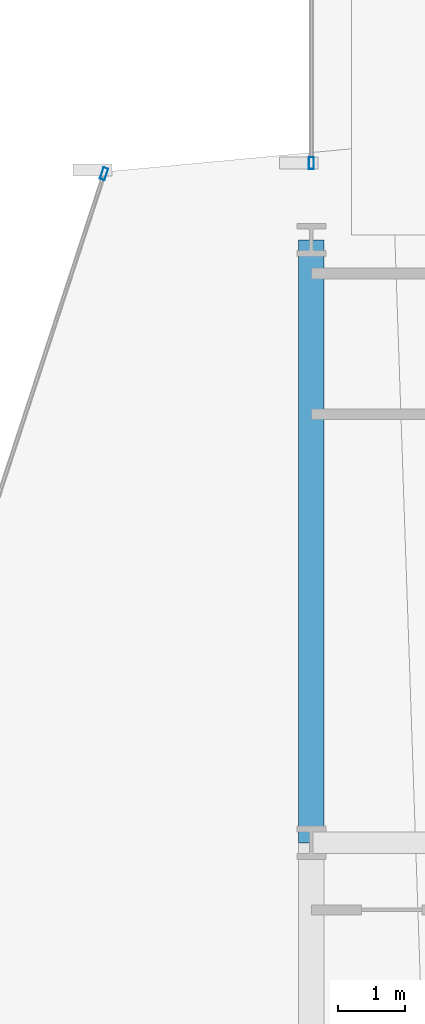
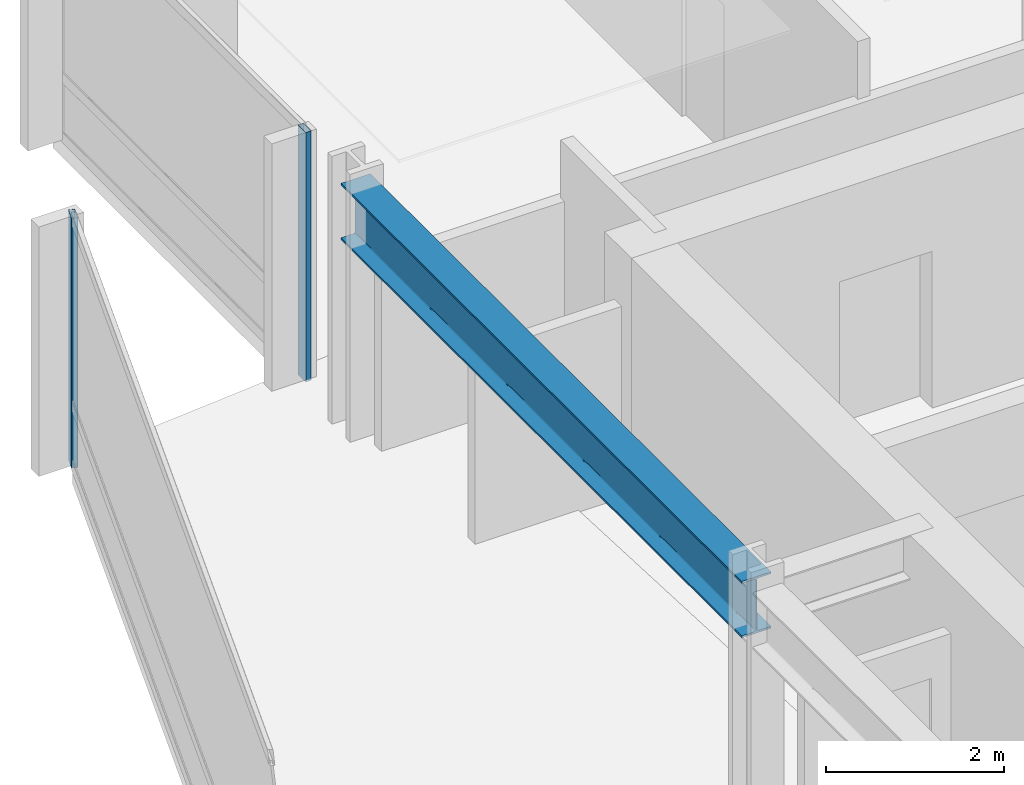
# One storey, part 19 of 34: 2 members, 1 beam, 2 elements without a shape of their own.
"""IFC4 building model written with IfcOpenShell, lengths in metres."""

from ifc_helpers import new_model, si_unit, direction, frame, origin, origin_2d, place, context, subcontext, project, spatial, hollow_rectangle, i_section, extrude, material, layer, layer_set, material_profile, profile_set, type_object, element, aggregate, save


model = new_model("IFC4")

# Units and contexts
model_context = context("Model", 3, precision=1e-05, world=origin(), true_north=direction((0.0, 1.0)))
body_context = subcontext(model_context, "Body", "Model", "MODEL_VIEW")
ifc_project = project(units=[si_unit("LENGTHUNIT", "METRE"), si_unit("AREAUNIT", "SQUARE_METRE"), si_unit("VOLUMEUNIT", "CUBIC_METRE"), si_unit("PLANEANGLEUNIT", "RADIAN"), si_unit("MASSUNIT", "GRAM", prefix="KILO")], contexts=[model_context])

# Site, building, storey
site_placement = place(None, origin())
site = spatial("IfcSite", under=ifc_project, at=site_placement, CompositionType="ELEMENT")
building_placement = place(site_placement, origin())
building = spatial("IfcBuilding", under=site, at=building_placement, Name="Solvaryn Broadcast Tower", CompositionType="ELEMENT")
storey_placement = place(building_placement, frame((0.0, 0.0, 36.0)))
storey = spatial("IfcBuildingStorey", under=building, at=storey_placement, Name="L07", CompositionType="ELEMENT", Elevation=36.0)

# Beam
ifc_material_1 = material(Name="Steel ASTM A992 Grade 50", Category="steel")
ifc_material_profile_1 = material_profile(ifc_material_1, i_section(OverallWidth=0.381103515625, OverallDepth=0.77294921875, WebThickness=0.0166015625, FlangeThickness=0.027099609375, FilletRadius=0.01806640625, at=origin_2d()))
ifc_profile_set_1 = profile_set([ifc_material_profile_1], Name="Steel ASTM A992 Grade 50")
beam_type = type_object("IfcBeamType", Name="BM-SP1-W30X173", PredefinedType="USERDEFINED", material=ifc_profile_set_1)
beam_placement = place(storey_placement, frame((9.0, 36.0, 3.033447265625), z_axis=(0.0, 1.0, 0.0), x_axis=(-1.0, 0.0, 0.0)))
element("IfcBeam", 1, at=beam_placement, inside=storey, type_object=beam_type, Name="L07 Spandrel Beam Y (36-45 @ X=9)", ObjectType="SPANDREL", PredefinedType="USERDEFINED", context=body_context, shape_type="SweptSolid", body=[
    extrude(i_section(OverallWidth=0.381103515625, OverallDepth=0.77294921875, WebThickness=0.0166015625, FlangeThickness=0.027099609375, FilletRadius=0.01806640625, at=origin_2d()), origin(), (0.0, 0.0, 1.0), 9.0),
])

# Curtain wall, member
ifc_material_2 = material(Name="Aluminium and Terracotta Unitised Curtain Wall", Category="masonry")
ifc_layer = layer(ifc_material_2, 0.199951171875)
ifc_layer_set = layer_set([ifc_layer], Name="CW-SYS2-LOWMID")
curtain_wall_type = type_object("IfcCurtainWallType", Name="CW-SYS2-LOWMID", PredefinedType="NOTDEFINED", material=ifc_layer_set)
curtain_wall_1_placement = place(storey_placement, origin())
curtain_wall_1 = element("IfcCurtainWall", 2, at=curtain_wall_1_placement, inside=storey, type_object=curtain_wall_type, Name="L07 Curtain Wall DR1", PredefinedType="NOTDEFINED")
ifc_material_3 = material(Name="Anodised Aluminium 6063-T6", Category="aluminium")
ifc_material_profile_2 = material_profile(ifc_material_3, hollow_rectangle(XDim=0.074951171875, YDim=0.179931640625, WallThickness=0.00390625, InnerFilletRadius=0.00390625, OuterFilletRadius=0.008056640625, at=origin_2d()))
ifc_profile_set_2 = profile_set([ifc_material_profile_2], Name="Anodised Aluminium 6063-T6")
member_type = type_object("IfcMemberType", Name="CW-MUL-180", PredefinedType="MULLION", material=ifc_profile_set_2)
member_1_placement = place(storey_placement, frame((5.90673828125, 45.987548828125, 0.0), z_axis=(0.0, 0.0, 1.0), x_axis=(0.950215318429, -0.311594044587, 0.0)))
member_1 = element("IfcMember", 3, at=member_1_placement, type_object=member_type, Name="CWS2 mullion 1", PredefinedType="MULLION", context=body_context, shape_type="SweptSolid", body=[
    extrude(hollow_rectangle(XDim=0.074951171875, YDim=0.179931640625, WallThickness=0.00390625, InnerFilletRadius=0.00390625, OuterFilletRadius=0.008056640625, at=origin_2d()), origin(), (0.0, 0.0, 1.0), 3.419921875),
])
aggregate(curtain_wall_1, [member_1])

curtain_wall_2_placement = place(storey_placement, origin())
curtain_wall_2 = element("IfcCurtainWall", 4, at=curtain_wall_2_placement, inside=storey, type_object=curtain_wall_type, Name="L07 Curtain Wall W2", PredefinedType="NOTDEFINED")
member_2_placement = place(storey_placement, frame((9.0, 46.14599609375, 0.0), z_axis=(0.0, 0.0, 1.0), x_axis=(-1.0, 0.0, 0.0)))
member_2 = element("IfcMember", 5, at=member_2_placement, type_object=member_type, Name="CWS2 mullion 1", PredefinedType="MULLION", context=body_context, shape_type="SweptSolid", body=[
    extrude(hollow_rectangle(XDim=0.074951171875, YDim=0.179931640625, WallThickness=0.00390625, InnerFilletRadius=0.00390625, OuterFilletRadius=0.008056640625, at=origin_2d()), origin(), (0.0, 0.0, 1.0), 3.419921875),
])
aggregate(curtain_wall_2, [member_2])

save(model, "model.ifc")
